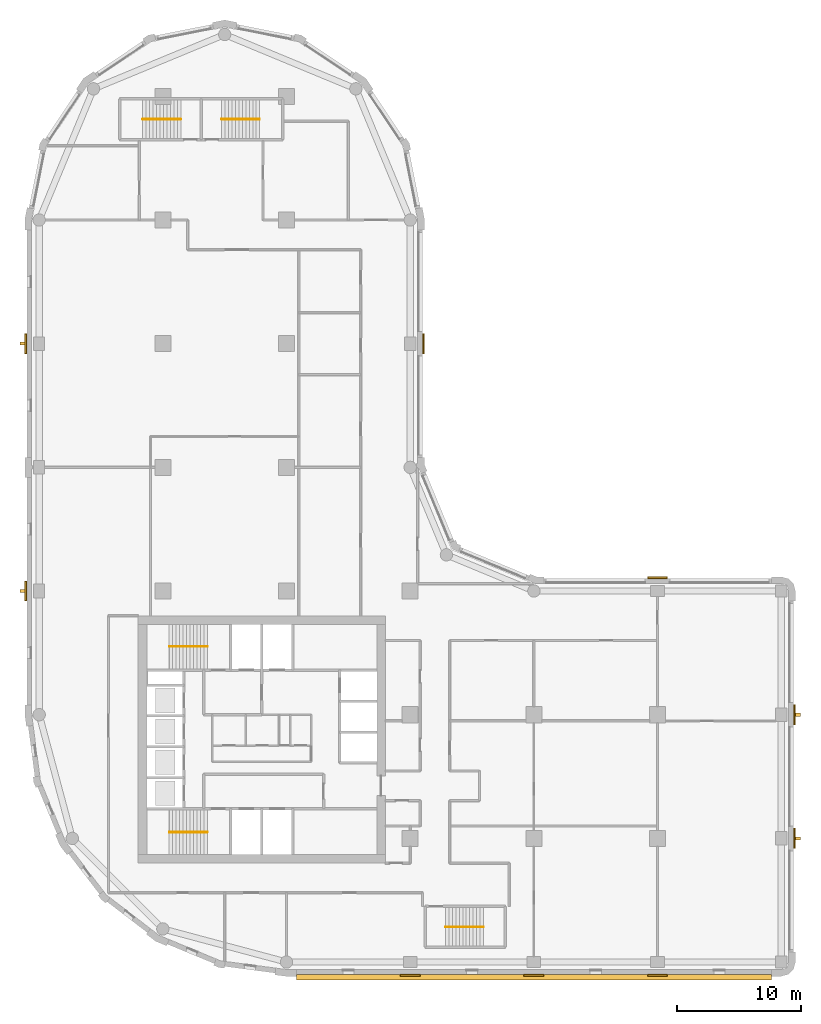
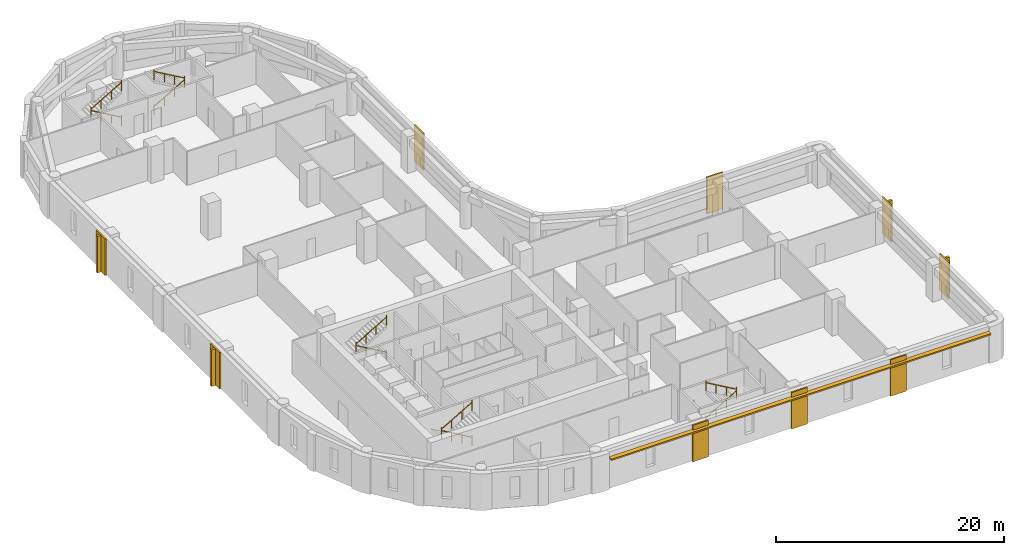
# One storey, part 8 of 9: 10 railings, 9 coverings, 5 shading devices.
"""IFC4 building model written with IfcOpenShell, lengths in metres."""

from ifc_helpers import new_model, si_unit, direction, frame, origin, origin_2d, place, context, subcontext, project, spatial, polyline, rectangle, circle, outline, extrude, material, layer, layer_set, type_object, element, save


model = new_model("IFC4")

# Units and contexts
model_context = context("Model", 3, precision=1e-05, world=origin(), true_north=direction((0.0, 1.0)))
body_context = subcontext(model_context, "Body", "Model", "MODEL_VIEW")
ifc_project = project(units=[si_unit("LENGTHUNIT", "METRE"), si_unit("AREAUNIT", "SQUARE_METRE"), si_unit("VOLUMEUNIT", "CUBIC_METRE"), si_unit("PLANEANGLEUNIT", "RADIAN"), si_unit("MASSUNIT", "GRAM", prefix="KILO")], contexts=[model_context])

# Site, building, storey
site_placement = place(None, origin())
site = spatial("IfcSite", under=ifc_project, at=site_placement, CompositionType="ELEMENT")
building_placement = place(site_placement, origin())
building = spatial("IfcBuilding", under=site, at=building_placement, Name="Qaws Garden Tower", CompositionType="ELEMENT")
storey_placement = place(building_placement, frame((0.0, 0.0, 162.89990234375)))
storey = spatial("IfcBuildingStorey", under=building, at=storey_placement, Name="L39", CompositionType="ELEMENT", Elevation=162.89990234375)

# Coverings
ifc_material_1 = material(Name="Clay facing brick masonry", Category="masonry")
ifc_layer_1 = layer(ifc_material_1, 0.14990234375)
ifc_layer_set_1 = layer_set([ifc_layer_1], Name="Clay facing brick masonry")
covering_type = type_object("IfcCoveringType", Name="Brick pilaster facing 150 x 1600", PredefinedType="CLADDING", material=ifc_layer_set_1)
placement = place(storey_placement, origin())
element("IfcCovering", 1, at=placement, inside=storey, type_object=covering_type, Name="E-L39-pier-01", PredefinedType="CLADDING", context=body_context, shape_type="SweptSolid", body=[
    extrude(outline(polyline([(29.199951171875, -1.0), (30.800048828125, -1.0), (30.800048828125, -1.14990234375), (29.199951171875, -1.14990234375), (29.199951171875, -1.0)])), origin(), (0.0, 0.0, 1.0), 3.900146484375),
])
element("IfcCovering", 2, at=placement, inside=storey, type_object=covering_type, Name="E-L39-pier-02", PredefinedType="CLADDING", context=body_context, shape_type="SweptSolid", body=[
    extrude(outline(polyline([(39.199951171875, -1.0), (40.800048828125, -1.0), (40.800048828125, -1.14990234375), (39.199951171875, -1.14990234375), (39.199951171875, -1.0)])), origin(), (0.0, 0.0, 1.0), 3.900146484375),
])
element("IfcCovering", 3, at=placement, inside=storey, type_object=covering_type, Name="E-L39-pier-03", PredefinedType="CLADDING", context=body_context, shape_type="SweptSolid", body=[
    extrude(outline(polyline([(49.199951171875, -1.0), (50.800048828125, -1.0), (50.800048828125, -1.14990234375), (49.199951171875, -1.14990234375), (49.199951171875, -1.0)])), origin(), (0.0, 0.0, 1.0), 3.900146484375),
])
element("IfcCovering", 4, at=placement, inside=storey, type_object=covering_type, Name="E-L39-pier-05", PredefinedType="CLADDING", context=body_context, shape_type="SweptSolid", body=[
    extrude(outline(polyline([(61.0, 9.199951171875), (61.0, 10.800048828125), (61.14990234375, 10.800048828125), (61.14990234375, 9.199951171875), (61.0, 9.199951171875)])), origin(), (0.0, 0.0, 1.0), 3.900146484375),
])
element("IfcCovering", 5, at=placement, inside=storey, type_object=covering_type, Name="E-L39-pier-06", PredefinedType="CLADDING", context=body_context, shape_type="SweptSolid", body=[
    extrude(outline(polyline([(61.0, 19.199951171875), (61.0, 20.800048828125), (61.14990234375, 20.800048828125), (61.14990234375, 19.199951171875), (61.0, 19.199951171875)])), origin(), (0.0, 0.0, 1.0), 3.900146484375),
])
element("IfcCovering", 6, at=placement, inside=storey, type_object=covering_type, Name="E-L39-pier-08", PredefinedType="CLADDING", context=body_context, shape_type="SweptSolid", body=[
    extrude(outline(polyline([(50.800048828125, 31.0), (49.199951171875, 31.0), (49.199951171875, 31.14990234375), (50.800048828125, 31.14990234375), (50.800048828125, 31.0)])), origin(), (0.0, 0.0, 1.0), 3.900146484375),
])
element("IfcCovering", 7, at=placement, inside=storey, type_object=covering_type, Name="E-L39-pier-12", PredefinedType="CLADDING", context=body_context, shape_type="SweptSolid", body=[
    extrude(outline(polyline([(31.0, 49.199951171875), (31.0, 50.800048828125), (31.14990234375, 50.800048828125), (31.14990234375, 49.199951171875), (31.0, 49.199951171875)])), origin(), (0.0, 0.0, 1.0), 3.900146484375),
])
element("IfcCovering", 8, at=placement, inside=storey, type_object=covering_type, Name="E-L39-pier-22", PredefinedType="CLADDING", context=body_context, shape_type="SweptSolid", body=[
    extrude(outline(polyline([(-1.0, 50.800048828125), (-1.0, 49.199951171875), (-1.14990234375, 49.199951171875), (-1.14990234375, 50.800048828125), (-1.0, 50.800048828125)])), origin(), (0.0, 0.0, 1.0), 3.900146484375),
])
element("IfcCovering", 9, at=placement, inside=storey, type_object=covering_type, Name="E-L39-pier-24", PredefinedType="CLADDING", context=body_context, shape_type="SweptSolid", body=[
    extrude(outline(polyline([(-1.0, 30.800048828125), (-1.0, 29.199951171875), (-1.14990234375, 29.199951171875), (-1.14990234375, 30.800048828125), (-1.0, 30.800048828125)])), origin(), (0.0, 0.0, 1.0), 3.900146484375),
])

# Shading devices
ifc_material_2 = material(Name="Clay facing brick masonry", Category="masonry")
ifc_layer_2 = layer(ifc_material_2, 0.14990234375)
ifc_layer_set_2 = layer_set([ifc_layer_2], Name="Clay facing brick masonry")
shading_device_type_1 = type_object("IfcShadingDeviceType", Name="Brick sunshade band 450 x 150", PredefinedType="JALOUSIE", material=ifc_layer_set_2)
shading_device_placement = place(storey_placement, frame((0.0, 0.0, 3.25)))
element("IfcShadingDevice", 10, at=shading_device_placement, inside=storey, type_object=shading_device_type_1, Name="SUNSHADE 00", PredefinedType="JALOUSIE", context=body_context, shape_type="SweptSolid", body=[
    extrude(outline(polyline([(20.800048828125, -1.0), (20.800048828125, -1.449951171875), (59.199951171875, -1.449951171875), (59.199951171875, -1.0), (50.800048828125, -1.0), (50.800048828125, -1.14990234375), (49.199951171875, -1.14990234375), (49.199951171875, -1.0), (40.800048828125, -1.0), (40.800048828125, -1.14990234375), (39.199951171875, -1.14990234375), (39.199951171875, -1.0), (30.800048828125, -1.0), (30.800048828125, -1.14990234375), (29.199951171875, -1.14990234375), (29.199951171875, -1.0), (20.800048828125, -1.0)])), origin(), (0.0, 0.0, 1.0), 0.150146484375),
])
ifc_material_3 = material(Name="Clay facing brick masonry", Category="masonry")
ifc_layer_3 = layer(ifc_material_3, 0.25)
ifc_layer_set_3 = layer_set([ifc_layer_3], Name="Clay facing brick masonry")
shading_device_type_2 = type_object("IfcShadingDeviceType", Name="Brick-faced fin 250 x 400", PredefinedType="USERDEFINED", material=ifc_layer_set_3)
for number, where, z_axis, x_axis, name in (
    (11, (61.35009765625, 10.0, 0.000244140625), (0.0, 0.0, 1.0), (0.0, 1.0, 0.0), "FIN 05"),
    (12, (61.35009765625, 20.0, 0.000244140625), (0.0, 0.0, 1.0), (0.0, 1.0, 0.0), "FIN 06"),
    (13, (-1.35009765625, 50.0, 0.000244140625), (0.0, 0.0, 1.0), (0.0, -1.0, 0.0), "FIN 22"),
    (14, (-1.35009765625, 30.0, 0.000244140625), (0.0, 0.0, 1.0), (0.0, -1.0, 0.0), "FIN 24"),
):
    element("IfcShadingDevice", number, at=place(storey_placement, frame(where, z_axis=z_axis, x_axis=x_axis)), inside=storey, type_object=shading_device_type_2, Name=name, ObjectType="FIN", PredefinedType="USERDEFINED", context=body_context, shape_type="SweptSolid", body=[
        extrude(rectangle(XDim=0.25, YDim=0.39990234375, at=origin_2d()), origin(), (0.0, 0.0, 1.0), 3.89990234375),
    ])

# Railings
ifc_material_4 = material(Name="Steel S355", Category="steel")
railing_type = type_object("IfcRailingType", Name="Stair handrail 900", PredefinedType="HANDRAIL", material=ifc_material_4)
railing_1_placement = place(storey_placement, frame((13.60009765625, 10.5, 0.16259765625)))
element("IfcRailing", 15, at=railing_1_placement, inside=storey, type_object=railing_type, Name="Stair 1 handrail", PredefinedType="HANDRAIL", context=body_context, shape_type="SweptSolid", body=[
    extrude(circle(Radius=0.02392578125, at=origin_2d()), frame((0.0, 0.0, 0.8759765625), z_axis=(-0.864890721111, 0.0, 0.501960198159), x_axis=(0.0, -1.0, 0.0)), (0.0, 0.0, 1.0), 3.561279296875),
    extrude(circle(Radius=0.02099609375, at=origin_2d()), origin(), (0.0, 0.0, 1.0), 1.06201171875),
    extrude(circle(Radius=0.02099609375, at=origin_2d()), frame((-1.026611328125, 0.0, 0.595947265625)), (0.0, 0.0, 1.0), 0.851806640625),
    extrude(circle(Radius=0.02099609375, at=origin_2d()), frame((-2.053466796875, 0.0, 1.191650390625)), (0.0, 0.0, 1.0), 0.851806640625),
    extrude(circle(Radius=0.02099609375, at=origin_2d()), frame((-3.080078125, 0.0, 1.78759765625)), (0.0, 0.0, 1.0), 1.06201171875),
])
railing_2_placement = place(storey_placement, frame((10.52001953125, 10.5, 2.112548828125)))
element("IfcRailing", 16, at=railing_2_placement, inside=storey, type_object=railing_type, Name="Stair 1 handrail", PredefinedType="HANDRAIL", context=body_context, shape_type="SweptSolid", body=[
    extrude(circle(Radius=0.02392578125, at=origin_2d()), frame((0.0, 0.0, 0.8759765625), z_axis=(0.864890721111, 0.0, 0.501960198159), x_axis=(0.0, 1.0, 0.0)), (0.0, 0.0, 1.0), 3.561279296875),
    extrude(circle(Radius=0.02099609375, at=origin_2d()), origin(), (0.0, 0.0, 1.0), 1.06201171875),
    extrude(circle(Radius=0.02099609375, at=origin_2d()), frame((1.026611328125, 0.0, 0.595947265625)), (0.0, 0.0, 1.0), 0.851806640625),
    extrude(circle(Radius=0.02099609375, at=origin_2d()), frame((2.053466796875, 0.0, 1.191650390625)), (0.0, 0.0, 1.0), 0.851806640625),
    extrude(circle(Radius=0.02099609375, at=origin_2d()), frame((3.080078125, 0.0, 1.78759765625)), (0.0, 0.0, 1.0), 1.06201171875),
])
railing_3_placement = place(storey_placement, frame((13.60009765625, 25.5, 0.16259765625)))
element("IfcRailing", 17, at=railing_3_placement, inside=storey, type_object=railing_type, Name="Stair 4 handrail", PredefinedType="HANDRAIL", context=body_context, shape_type="SweptSolid", body=[
    extrude(circle(Radius=0.02392578125, at=origin_2d()), frame((0.0, 0.0, 0.8759765625), z_axis=(-0.864890721111, 0.0, 0.501960198159), x_axis=(0.0, -1.0, 0.0)), (0.0, 0.0, 1.0), 3.561279296875),
    extrude(circle(Radius=0.02099609375, at=origin_2d()), origin(), (0.0, 0.0, 1.0), 1.06201171875),
    extrude(circle(Radius=0.02099609375, at=origin_2d()), frame((-1.026611328125, 0.0, 0.595947265625)), (0.0, 0.0, 1.0), 0.851806640625),
    extrude(circle(Radius=0.02099609375, at=origin_2d()), frame((-2.053466796875, 0.0, 1.191650390625)), (0.0, 0.0, 1.0), 0.851806640625),
    extrude(circle(Radius=0.02099609375, at=origin_2d()), frame((-3.080078125, 0.0, 1.78759765625)), (0.0, 0.0, 1.0), 1.06201171875),
])
railing_4_placement = place(storey_placement, frame((10.52001953125, 25.5, 2.112548828125)))
element("IfcRailing", 18, at=railing_4_placement, inside=storey, type_object=railing_type, Name="Stair 4 handrail", PredefinedType="HANDRAIL", context=body_context, shape_type="SweptSolid", body=[
    extrude(circle(Radius=0.02392578125, at=origin_2d()), frame((0.0, 0.0, 0.8759765625), z_axis=(0.864890721111, 0.0, 0.501960198159), x_axis=(0.0, 1.0, 0.0)), (0.0, 0.0, 1.0), 3.561279296875),
    extrude(circle(Radius=0.02099609375, at=origin_2d()), origin(), (0.0, 0.0, 1.0), 1.06201171875),
    extrude(circle(Radius=0.02099609375, at=origin_2d()), frame((1.026611328125, 0.0, 0.595947265625)), (0.0, 0.0, 1.0), 0.851806640625),
    extrude(circle(Radius=0.02099609375, at=origin_2d()), frame((2.053466796875, 0.0, 1.191650390625)), (0.0, 0.0, 1.0), 0.851806640625),
    extrude(circle(Radius=0.02099609375, at=origin_2d()), frame((3.080078125, 0.0, 1.78759765625)), (0.0, 0.0, 1.0), 1.06201171875),
])
railing_5_placement = place(storey_placement, frame((32.85009765625, 2.85009765625, 0.16259765625)))
element("IfcRailing", 19, at=railing_5_placement, inside=storey, type_object=railing_type, Name="Stair 5 handrail", PredefinedType="HANDRAIL", context=body_context, shape_type="SweptSolid", body=[
    extrude(circle(Radius=0.02392578125, at=origin_2d()), frame((0.0, 0.0, 0.8759765625), z_axis=(0.864873446163, 0.0, 0.501989962173), x_axis=(0.0, 1.0, 0.0)), (0.0, 0.0, 1.0), 3.56103515625),
    extrude(circle(Radius=0.02099609375, at=origin_2d()), origin(), (0.0, 0.0, 1.0), 1.06201171875),
    extrude(circle(Radius=0.02099609375, at=origin_2d()), frame((1.026611328125, 0.0, 0.595947265625)), (0.0, 0.0, 1.0), 0.851806640625),
    extrude(circle(Radius=0.02099609375, at=origin_2d()), frame((2.05322265625, 0.0, 1.191650390625)), (0.0, 0.0, 1.0), 0.851806640625),
    extrude(circle(Radius=0.02099609375, at=origin_2d()), frame((3.079833984375, 0.0, 1.78759765625)), (0.0, 0.0, 1.0), 1.06201171875),
])
for number, where, name in (
    (20, (35.929931640625, 2.85009765625, 2.112548828125), "Stair 5 handrail"),
    (21, (11.449951171875, 68.14990234375, 0.16259765625), "Stair 6 handrail"),
):
    element("IfcRailing", number, at=place(storey_placement, frame(where)), inside=storey, type_object=railing_type, Name=name, PredefinedType="HANDRAIL", context=body_context, shape_type="SweptSolid", body=[
        extrude(circle(Radius=0.02392578125, at=origin_2d()), frame((0.0, 0.0, 0.8759765625), z_axis=(-0.864873446163, 0.0, 0.501989962173), x_axis=(0.0, -1.0, 0.0)), (0.0, 0.0, 1.0), 3.56103515625),
        extrude(circle(Radius=0.02099609375, at=origin_2d()), origin(), (0.0, 0.0, 1.0), 1.06201171875),
        extrude(circle(Radius=0.02099609375, at=origin_2d()), frame((-1.026611328125, 0.0, 0.595947265625)), (0.0, 0.0, 1.0), 0.851806640625),
        extrude(circle(Radius=0.02099609375, at=origin_2d()), frame((-2.05322265625, 0.0, 1.191650390625)), (0.0, 0.0, 1.0), 0.851806640625),
        extrude(circle(Radius=0.02099609375, at=origin_2d()), frame((-3.079833984375, 0.0, 1.78759765625)), (0.0, 0.0, 1.0), 1.06201171875),
    ])
railing_6_placement = place(storey_placement, frame((8.3701171875, 68.14990234375, 2.112548828125)))
element("IfcRailing", 22, at=railing_6_placement, inside=storey, type_object=railing_type, Name="Stair 6 handrail", PredefinedType="HANDRAIL", context=body_context, shape_type="SweptSolid", body=[
    extrude(circle(Radius=0.02392578125, at=origin_2d()), frame((0.0, 0.0, 0.8759765625), z_axis=(0.864873446163, 0.0, 0.501989962173), x_axis=(0.0, 1.0, 0.0)), (0.0, 0.0, 1.0), 3.56103515625),
    extrude(circle(Radius=0.02099609375, at=origin_2d()), origin(), (0.0, 0.0, 1.0), 1.06201171875),
    extrude(circle(Radius=0.02099609375, at=origin_2d()), frame((1.026611328125, 0.0, 0.595947265625)), (0.0, 0.0, 1.0), 0.851806640625),
    extrude(circle(Radius=0.02099609375, at=origin_2d()), frame((2.05322265625, 0.0, 1.191650390625)), (0.0, 0.0, 1.0), 0.851806640625),
    extrude(circle(Radius=0.02099609375, at=origin_2d()), frame((3.079833984375, 0.0, 1.78759765625)), (0.0, 0.0, 1.0), 1.06201171875),
])
railing_7_placement = place(storey_placement, frame((14.75, 68.14990234375, 0.16259765625)))
element("IfcRailing", 23, at=railing_7_placement, inside=storey, type_object=railing_type, Name="Stair 7 handrail", PredefinedType="HANDRAIL", context=body_context, shape_type="SweptSolid", body=[
    extrude(circle(Radius=0.02392578125, at=origin_2d()), frame((0.0, 0.0, 0.8759765625), z_axis=(0.864890721111, 0.0, 0.501960198159), x_axis=(0.0, 1.0, 0.0)), (0.0, 0.0, 1.0), 3.561279296875),
    extrude(circle(Radius=0.02099609375, at=origin_2d()), origin(), (0.0, 0.0, 1.0), 1.06201171875),
    extrude(circle(Radius=0.02099609375, at=origin_2d()), frame((1.026611328125, 0.0, 0.595947265625)), (0.0, 0.0, 1.0), 0.851806640625),
    extrude(circle(Radius=0.02099609375, at=origin_2d()), frame((2.053466796875, 0.0, 1.191650390625)), (0.0, 0.0, 1.0), 0.851806640625),
    extrude(circle(Radius=0.02099609375, at=origin_2d()), frame((3.080078125, 0.0, 1.78759765625)), (0.0, 0.0, 1.0), 1.06201171875),
])
railing_8_placement = place(storey_placement, frame((17.830078125, 68.14990234375, 2.112548828125)))
element("IfcRailing", 24, at=railing_8_placement, inside=storey, type_object=railing_type, Name="Stair 7 handrail", PredefinedType="HANDRAIL", context=body_context, shape_type="SweptSolid", body=[
    extrude(circle(Radius=0.02392578125, at=origin_2d()), frame((0.0, 0.0, 0.8759765625), z_axis=(-0.864890721111, 0.0, 0.501960198159), x_axis=(0.0, -1.0, 0.0)), (0.0, 0.0, 1.0), 3.561279296875),
    extrude(circle(Radius=0.02099609375, at=origin_2d()), origin(), (0.0, 0.0, 1.0), 1.06201171875),
    extrude(circle(Radius=0.02099609375, at=origin_2d()), frame((-1.026611328125, 0.0, 0.595947265625)), (0.0, 0.0, 1.0), 0.851806640625),
    extrude(circle(Radius=0.02099609375, at=origin_2d()), frame((-2.053466796875, 0.0, 1.191650390625)), (0.0, 0.0, 1.0), 0.851806640625),
    extrude(circle(Radius=0.02099609375, at=origin_2d()), frame((-3.080078125, 0.0, 1.78759765625)), (0.0, 0.0, 1.0), 1.06201171875),
])

save(model, "model.ifc")
